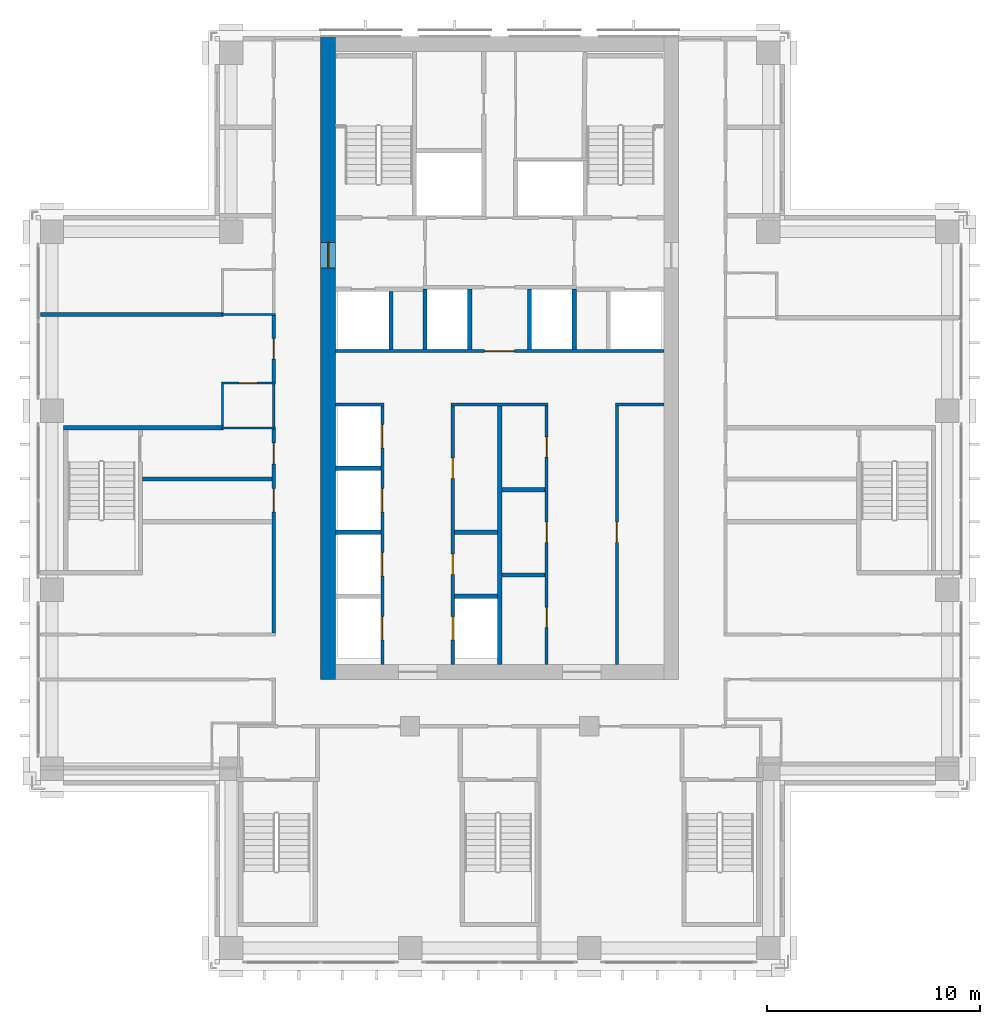
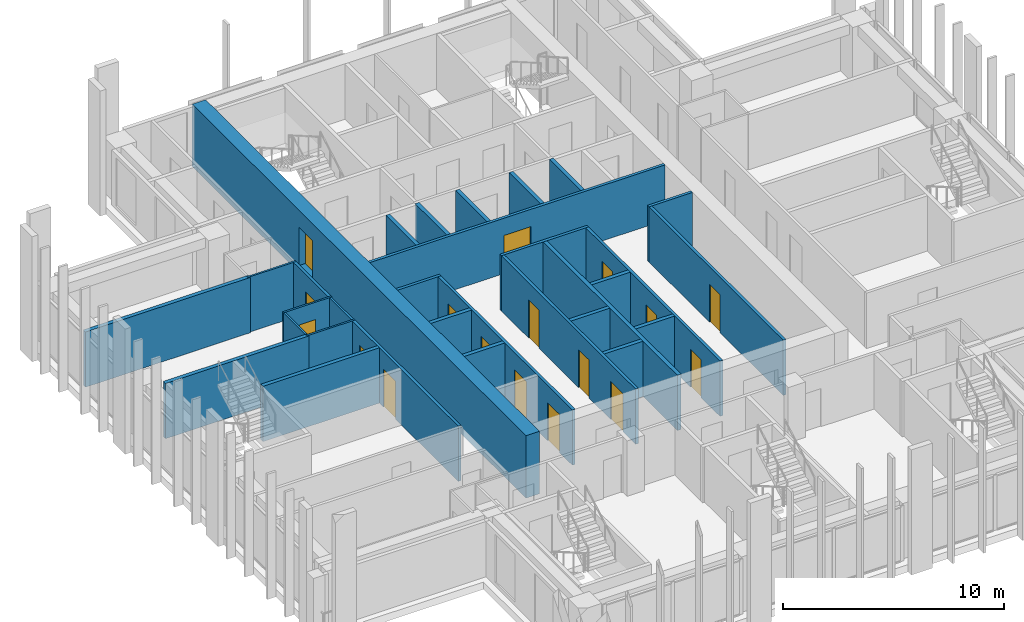
# One storey, part 10 of 17: 31 walls, 17 doors, 17 openings.
"""IFC4 building model written with IfcOpenShell, lengths in metres."""

import ifcopenshell
import ifcopenshell.guid

model = None  # the IFC model being written
_history = None  # IfcOwnerHistory: only IFC2X3 demands one
_inside = {}  # id of a spatial element -> (the spatial element, [elements in it])
_under = {}  # id of a project, library or spatial element -> (it, [spatial elements below it])
_declared = {}  # id of a project -> (the project, [libraries it declares])
_typed = {}  # id of a type object -> (the type object, [elements of that type])
_made_of = {}  # id of a material, layer set ... -> (it, [elements and type objects made of it])


def new_model(schema):
    """Start an empty IFC model of exactly this schema.

    Asked for "IFC4X3", IfcOpenShell would pick the latest addendum, in which some entities
    have other attributes; the version numbers below select the first issue.
    IFC2X3 requires an IfcOwnerHistory on every rooted entity: one is made here for all.
    """
    global model, _history
    if schema == "IFC4X3":
        model = ifcopenshell.file(schema_version=(4, 3, 0, 0))
    else:
        model = ifcopenshell.file(schema=schema)
    _inside.clear()
    _under.clear()
    _declared.clear()
    _typed.clear()
    _made_of.clear()
    _history = None
    if model.schema == "IFC2X3":
        org = make("IfcOrganization", Name="unknown")
        user = make(
            "IfcPersonAndOrganization",
            ThePerson=make("IfcPerson", FamilyName="unknown"),
            TheOrganization=org,
        )
        app = make(
            "IfcApplication",
            ApplicationDeveloper=org,
            Version="unknown",
            ApplicationFullName="unknown",
            ApplicationIdentifier="unknown",
        )
        _history = make(
            "IfcOwnerHistory",
            OwningUser=user,
            OwningApplication=app,
            ChangeAction="ADDED",
            CreationDate=0,
        )
    return model


def make(cls, **values):
    """One entity of the class cls with the attributes given. An attribute that is None is left unset."""
    return model.create_entity(
        cls, **{name: value for name, value in values.items() if value is not None}
    )


def rooted(cls, **values):
    """An entity with a GlobalId (a new one), such as an element, a storey or a relation."""
    return make(cls, GlobalId=ifcopenshell.guid.new(), OwnerHistory=_history, **values)


def si_unit(unit_type, name, prefix=None):
    """IfcSIUnit, for example si_unit("LENGTHUNIT", "METRE", prefix="MILLI")."""
    return make("IfcSIUnit", UnitType=unit_type, Prefix=prefix, Name=name)


def assignment(units):
    """IfcUnitAssignment: the units of a project."""
    return None if units is None else make("IfcUnitAssignment", Units=units)


def point(xyz):
    """IfcCartesianPoint."""
    return None if xyz is None else make("IfcCartesianPoint", Coordinates=xyz)


def direction(xyz):
    """IfcDirection."""
    return None if xyz is None else make("IfcDirection", DirectionRatios=xyz)


def frame(location, z_axis=None, x_axis=None):
    """IfcAxis2Placement3D, a coordinate frame: its origin and axes. An axis left out is left unset."""
    return make(
        "IfcAxis2Placement3D",
        Location=point(location),
        Axis=direction(z_axis),
        RefDirection=direction(x_axis),
    )


def frame_2d(location, x_axis=None):
    """IfcAxis2Placement2D, a coordinate frame in the plane: its origin and x axis."""
    return make(
        "IfcAxis2Placement2D", Location=point(location), RefDirection=direction(x_axis)
    )


def origin():
    """The frame at (0, 0, 0) with its axes left unset."""
    return frame((0.0, 0.0, 0.0))


def place(relative_to, where):
    """IfcLocalPlacement: puts the frame where relative to a parent placement (None: the world)."""
    return make(
        "IfcLocalPlacement", PlacementRelTo=relative_to, RelativePlacement=where
    )


def context(
    kind, dimensions, precision=None, world=None, true_north=None, identifier=None
):
    """IfcGeometricRepresentationContext, for example the 3D "Model" context."""
    return make(
        "IfcGeometricRepresentationContext",
        ContextIdentifier=identifier,
        ContextType=kind,
        CoordinateSpaceDimension=dimensions,
        Precision=precision,
        WorldCoordinateSystem=world,
        TrueNorth=true_north,
    )


def subcontext(parent, identifier, kind, view, scale=None):
    """IfcGeometricRepresentationSubContext, for example "Body" below "Model"."""
    return make(
        "IfcGeometricRepresentationSubContext",
        ContextIdentifier=identifier,
        ContextType=kind,
        ParentContext=parent,
        TargetScale=scale,
        TargetView=view,
    )


def project(units=None, contexts=None):
    """IfcProject with its units and contexts."""
    return rooted(
        "IfcProject",
        Name="project",
        RepresentationContexts=contexts,
        UnitsInContext=assignment(units),
    )


def spatial(cls, under=None, at=None, **own):
    """A site, building, storey or space (cls), placed at a placement, below another one or the project."""
    s = rooted(cls, ObjectPlacement=at, **own)
    if under is not None:
        _under.setdefault(under.id(), (under, []))[1].append(s)
    return s


def profile(cls, at=None, kind="AREA", **sizes):
    """A parametric profile (cls). Its sizes go by their IFC names, for example OverallWidth=200.0."""
    return make(cls, ProfileType=kind, Position=at, **sizes)


def rectangle(**sizes):
    """IfcRectangleProfileDef."""
    return profile("IfcRectangleProfileDef", **sizes)


def extrude(swept, where, along, depth):
    """IfcExtrudedAreaSolid: the profile swept, set in the frame where, extruded along a direction by depth."""
    return make(
        "IfcExtrudedAreaSolid",
        SweptArea=swept,
        Position=where,
        ExtrudedDirection=direction(along),
        Depth=depth,
    )


def shape(context_of_items, identifier, shape_type, items):
    """IfcShapeRepresentation: the items that make up one representation, for example the "Body"."""
    return make(
        "IfcShapeRepresentation",
        ContextOfItems=context_of_items,
        RepresentationIdentifier=identifier,
        RepresentationType=shape_type,
        Items=items,
    )


def material(Name=None, Category=None):
    """IfcMaterial."""
    return make("IfcMaterial", Name=Name, Category=Category)


def layer(
    of_material, thickness, ventilated=None, Name=None, Category=None, Priority=None
):
    """IfcMaterialLayer: one layer of a wall or slab, of a material (None: an air gap)."""
    return make(
        "IfcMaterialLayer",
        Material=of_material,
        LayerThickness=thickness,
        IsVentilated=ventilated,
        Name=Name,
        Category=Category,
        Priority=Priority,
    )


def layer_set(layers, Name=None):
    """IfcMaterialLayerSet."""
    return make("IfcMaterialLayerSet", MaterialLayers=layers, LayerSetName=Name)


def made_of(thing, what):
    """Note that an element or type object is made of a material, layer set ...; save() writes the relation."""
    if what is not None:
        _made_of.setdefault(what.id(), (what, []))[1].append(thing)
    return thing


def type_object(cls, material=None, **own):
    """A type object (cls), such as IfcWallType, which elements share."""
    return made_of(rooted(cls, **own), material)


def element(
    cls,
    number,
    at=None,
    inside=None,
    cuts=None,
    type_object=None,
    material=None,
    context=None,
    identifier="Body",
    shape_type=None,
    held_by="IfcProductDefinitionShape",
    body=None,
    shapes=None,
    **own,
):
    """One element of the class cls, such as IfcWall. Its Tag is "e" and its number.

    at: its placement. inside: the storey or other place that contains it. cuts: it is an
    opening in that element (IfcRelVoidsElement). A single representation is given by context,
    identifier, shape_type and body (its items); several are given by shapes. held_by: the class
    of the entity that holds the representations. save() writes the other relations.
    """
    e = rooted(cls, Tag="e%d" % number, ObjectPlacement=at, **own)
    if body is not None:
        shapes = [shape(context, identifier, shape_type, body)]
    if shapes is not None:
        e.Representation = make(held_by, Representations=shapes)
    if inside is not None:
        _inside.setdefault(inside.id(), (inside, []))[1].append(e)
    if cuts is not None:
        rooted(
            "IfcRelVoidsElement", RelatingBuildingElement=cuts, RelatedOpeningElement=e
        )
    if type_object is not None:
        _typed.setdefault(type_object.id(), (type_object, []))[1].append(e)
    return made_of(e, material)


def fill(opening, filler):
    """IfcRelFillsElement: the door or window that sits in an opening."""
    return rooted(
        "IfcRelFillsElement",
        RelatingOpeningElement=opening,
        RelatedBuildingElement=filler,
    )


def aggregate(whole, parts):
    """IfcRelAggregates: a whole, such as a stair, and the parts it consists of."""
    return rooted("IfcRelAggregates", RelatingObject=whole, RelatedObjects=parts)


def save(model, path):
    """Write the relations noted so far, then the file.

    IfcRelAggregates (storeys below a building ...), IfcRelContainedInSpatialStructure (elements
    in a storey), IfcRelDefinesByType, IfcRelAssociatesMaterial and IfcRelDeclares: one each for
    every whole, place, type object, material and project.
    """
    for whole, parts in _under.values():
        aggregate(whole, parts)
    for where, things in _inside.values():
        rooted(
            "IfcRelContainedInSpatialStructure",
            RelatedElements=things,
            RelatingStructure=where,
        )
    for kind, things in _typed.values():
        rooted("IfcRelDefinesByType", RelatedObjects=things, RelatingType=kind)
    for what, things in _made_of.values():
        rooted("IfcRelAssociatesMaterial", RelatedObjects=things, RelatingMaterial=what)
    for by, libraries in _declared.values():
        rooted("IfcRelDeclares", RelatingContext=by, RelatedDefinitions=libraries)
    model.write(path)


model = new_model("IFC4")

# Units and contexts
model_context = context("Model", 3, precision=1e-05, world=origin(), true_north=direction((0.0, 1.0)))
body_context = subcontext(model_context, "Body", "Model", "MODEL_VIEW")
ifc_project = project(units=[si_unit("LENGTHUNIT", "METRE"), si_unit("AREAUNIT", "SQUARE_METRE"), si_unit("VOLUMEUNIT", "CUBIC_METRE"), si_unit("PLANEANGLEUNIT", "RADIAN"), si_unit("MASSUNIT", "GRAM", prefix="KILO")], contexts=[model_context])

# Site, building, storey
site_placement = place(None, origin())
site = spatial("IfcSite", under=ifc_project, at=site_placement, CompositionType="ELEMENT")
building_placement = place(site_placement, origin())
building = spatial("IfcBuilding", under=site, at=building_placement, Name="Vermilion Ogive Tower", CompositionType="ELEMENT")
storey_placement = place(building_placement, frame((0.0, 0.0, 157.25)))
storey = spatial("IfcBuildingStorey", under=building, at=storey_placement, Name="L40", CompositionType="ELEMENT", Elevation=157.25)

# Wall
ifc_material_1 = material(Name="Gypsum board partition on steel studs", Category="steel")
ifc_layer_1 = layer(ifc_material_1, 0.10009765625)
ifc_layer_set_1 = layer_set([ifc_layer_1], Name="Partition 100 bath")
wall_type_1 = type_object("IfcWallType", Name="Partition 100 bath", PredefinedType="PARTITIONING", material=ifc_layer_set_1)
wall_1_placement = place(storey_placement, frame((-13.050048828125, 3.39990234375, 0.0), z_axis=(0.0, 0.0, 1.0), x_axis=(1.0, 0.0, 0.0)))
element("IfcWall", 1, at=wall_1_placement, inside=storey, type_object=wall_type_1, Name="L40-W-W027", PredefinedType="PARTITIONING", context=body_context, shape_type="SweptSolid", body=[
    extrude(rectangle(XDim=2.525146484375, YDim=0.10009765625, at=frame_2d((1.2626953125, 0.0))), origin(), (0.0, 0.0, 1.0), 3.050048828125),
])

# Wall, opening, door
wall_2_placement = place(storey_placement, frame((-13.048095703125, 5.5, 0.0), z_axis=(0.0, 0.0, 1.0), x_axis=(1.0, 0.0, 0.0)))
wall_2 = element("IfcWall", 2, at=wall_2_placement, inside=storey, type_object=wall_type_1, Name="L40-W-W029", PredefinedType="PARTITIONING", context=body_context, shape_type="SweptSolid", body=[
    extrude(rectangle(XDim=2.523193359375, YDim=0.10009765625, at=frame_2d((1.26171875, 0.0))), origin(), (0.0, 0.0, 1.0), 3.050048828125),
])
opening_1_placement = place(wall_2_placement, frame((0.822998046875, 0.0, 0.0)))
opening_1 = element("IfcOpeningElement", 3, at=opening_1_placement, cuts=wall_2, Name="Opening D3G4004", PredefinedType="OPENING", context=body_context, shape_type="SweptSolid", body=[
    extrude(rectangle(XDim=0.85009765625, YDim=2.10009765625, at=frame_2d((0.425048828125, 1.050048828125))), frame((0.0, 0.06005859375, 0.0), z_axis=(0.0, -1.0, 0.0), x_axis=(1.0, 0.0, 0.0)), (0.0, 0.0, 1.0), 0.1201171875),
])
ifc_material_2 = material(Name="Timber door leaf", Category="wood")
door_type_1 = type_object("IfcDoorType", Name="Bath door 850 x 2100 FD30", OperationType="SINGLE_SWING_LEFT", PredefinedType="DOOR", material=ifc_material_2)
door_1_placement = place(opening_1_placement, origin())
door_1 = element("IfcDoor", 4, at=door_1_placement, inside=storey, type_object=door_type_1, Name="L40-D-D004", OperationType="SINGLE_SWING_RIGHT", OverallHeight=2.10009765625, OverallWidth=0.85009765625, PredefinedType="DOOR", context=body_context, shape_type="SweptSolid", body=[
    extrude(rectangle(XDim=0.85009765625, YDim=2.10009765625, at=frame_2d((0.425048828125, 1.050048828125))), frame((0.0, 0.02490234375, 0.0), z_axis=(0.0, -1.0, 0.0), x_axis=(1.0, 0.0, 0.0)), (0.0, 0.0, 1.0), 0.050048828125),
])
fill(opening_1, door_1)

# Walls
wall_3_placement = place(storey_placement, frame((-13.050048828125, 8.719970703125, 0.0), z_axis=(0.0, 0.0, 1.0), x_axis=(1.0, 0.0, 0.0)))
element("IfcWall", 5, at=wall_3_placement, inside=storey, type_object=wall_type_1, Name="L40-W-W033", PredefinedType="PARTITIONING", context=body_context, shape_type="SweptSolid", body=[
    extrude(rectangle(XDim=2.525146484375, YDim=0.10009765625, at=frame_2d((1.2626953125, 0.0))), origin(), (0.0, 0.0, 1.0), 3.050048828125),
])
wall_4_placement = place(storey_placement, frame((-13.0, 3.5, 0.0), z_axis=(0.0, 0.0, 1.0), x_axis=(0.0, 1.0, 0.0)))
element("IfcWall", 6, at=wall_4_placement, inside=storey, type_object=wall_type_1, Name="L40-W-W043", PredefinedType="PARTITIONING", context=body_context, shape_type="SweptSolid", body=[
    extrude(rectangle(XDim=1.947998046875, YDim=0.10009765625, at=frame_2d((0.97412109375, 0.0))), origin(), (0.0, 0.0, 1.0), 3.050048828125),
])
wall_5_placement = place(storey_placement, frame((-10.60009765625, 3.449951171875, 0.0), z_axis=(0.0, 0.0, 1.0), x_axis=(0.0, 1.0, 0.0)))
element("IfcWall", 7, at=wall_5_placement, inside=storey, type_object=wall_type_1, Name="L40-W-W050", PredefinedType="PARTITIONING", context=body_context, shape_type="SweptSolid", body=[
    extrude(rectangle(XDim=2.0, YDim=0.10009765625, at=frame_2d((1.0, 0.0))), origin(), (0.0, 0.0, 1.0), 3.050048828125),
])

# Wall, openings, doors
ifc_material_3 = material(Name="Gypsum board partition on steel studs", Category="steel")
ifc_layer_2 = layer(ifc_material_3, 0.14990234375)
ifc_layer_set_2 = layer_set([ifc_layer_2], Name="Partition 150 corridor")
wall_type_2 = type_object("IfcWallType", Name="Partition 150 corridor", PredefinedType="PARTITIONING", material=ifc_layer_set_2)
wall_6_placement = place(storey_placement, frame((-10.60009765625, -6.22509765625, 0.0), z_axis=(0.0, 0.0, 1.0), x_axis=(0.0, 1.0, 0.0)))
wall_6 = element("IfcWall", 8, at=wall_6_placement, inside=storey, type_object=wall_type_2, Name="L40-W-W049", PredefinedType="PARTITIONING", context=body_context, shape_type="SweptSolid", body=[
    extrude(rectangle(XDim=9.5751953125, YDim=0.14990234375, at=frame_2d((4.78759765625, 0.0))), origin(), (0.0, 0.0, 1.0), 3.050048828125),
])
opening_2_placement = place(wall_6_placement, frame((5.675048828125, 0.0, 0.0)))
opening_2 = element("IfcOpeningElement", 9, at=opening_2_placement, cuts=wall_6, Name="Opening D3G4026", PredefinedType="OPENING", context=body_context, shape_type="SweptSolid", body=[
    extrude(rectangle(XDim=1.10009765625, YDim=2.10009765625, at=frame_2d((0.550048828125, 1.050048828125))), frame((0.0, 0.0849609375, 0.0), z_axis=(0.0, -1.0, 0.0), x_axis=(1.0, 0.0, 0.0)), (0.0, 0.0, 1.0), 0.169921875),
])
opening_3_placement = place(wall_6_placement, frame((7.925048828125, 0.0, 0.0)))
opening_3 = element("IfcOpeningElement", 10, at=opening_3_placement, cuts=wall_6, Name="Opening D3G4032", PredefinedType="OPENING", context=body_context, shape_type="SweptSolid", body=[
    extrude(rectangle(XDim=1.0, YDim=2.10009765625, at=frame_2d((0.5, 1.050048828125))), frame((0.0, 0.0849609375, 0.0), z_axis=(0.0, -1.0, 0.0), x_axis=(1.0, 0.0, 0.0)), (0.0, 0.0, 1.0), 0.169921875),
])
ifc_material_4 = material(Name="Timber door leaf", Category="wood")
door_type_2 = type_object("IfcDoorType", Name="Stair door 1100 x 2100 FD60S", OperationType="SINGLE_SWING_LEFT", PredefinedType="DOOR", material=ifc_material_4)
door_2_placement = place(opening_2_placement, origin())
door_2 = element("IfcDoor", 11, at=door_2_placement, inside=storey, type_object=door_type_2, Name="L40-D-D026", OperationType="SINGLE_SWING_RIGHT", OverallHeight=2.10009765625, OverallWidth=1.10009765625, PredefinedType="DOOR", context=body_context, shape_type="SweptSolid", body=[
    extrude(rectangle(XDim=1.10009765625, YDim=2.10009765625, at=frame_2d((0.550048828125, 1.050048828125))), frame((0.0, 0.02490234375, 0.0), z_axis=(0.0, -1.0, 0.0), x_axis=(1.0, 0.0, 0.0)), (0.0, 0.0, 1.0), 0.050048828125),
])
fill(opening_2, door_2)
ifc_material_5 = material(Name="Timber door leaf", Category="wood")
door_type_3 = type_object("IfcDoorType", Name="Unit door 1000 x 2100 FD30S", OperationType="SINGLE_SWING_LEFT", PredefinedType="DOOR", material=ifc_material_5)
door_3_placement = place(opening_3_placement, origin())
door_3 = element("IfcDoor", 12, at=door_3_placement, inside=storey, type_object=door_type_3, Name="L40-D-D032", OperationType="SINGLE_SWING_LEFT", OverallHeight=2.10009765625, OverallWidth=1.0, PredefinedType="DOOR", context=body_context, shape_type="SweptSolid", body=[
    extrude(rectangle(XDim=1.0, YDim=2.10009765625, at=frame_2d((0.5, 1.050048828125))), frame((0.0, 0.02490234375, 0.0), z_axis=(0.0, -1.0, 0.0), x_axis=(1.0, 0.0, 0.0)), (0.0, 0.0, 1.0), 0.050048828125),
])
fill(opening_3, door_3)

# Wall, opening, door
wall_7_placement = place(storey_placement, frame((-10.60009765625, 5.550048828125, 0.0), z_axis=(0.0, 0.0, 1.0), x_axis=(0.0, 1.0, 0.0)))
wall_7 = element("IfcWall", 13, at=wall_7_placement, inside=storey, type_object=wall_type_2, Name="L40-W-W051", PredefinedType="PARTITIONING", context=body_context, shape_type="SweptSolid", body=[
    extrude(rectangle(XDim=3.119873046875, YDim=0.14990234375, at=frame_2d((1.56005859375, 0.0))), origin(), (0.0, 0.0, 1.0), 3.050048828125),
])
opening_4_placement = place(wall_7_placement, frame((1.0849609375, 0.0, 0.0)))
opening_4 = element("IfcOpeningElement", 14, at=opening_4_placement, cuts=wall_7, Name="Opening D3G4003", PredefinedType="OPENING", context=body_context, shape_type="SweptSolid", body=[
    extrude(rectangle(XDim=0.949951171875, YDim=2.10009765625, at=frame_2d((0.47509765625, 1.050048828125))), frame((0.0, 0.0849609375, 0.0), z_axis=(0.0, -1.0, 0.0), x_axis=(1.0, 0.0, 0.0)), (0.0, 0.0, 1.0), 0.169921875),
])
ifc_material_6 = material(Name="Timber door leaf", Category="wood")
door_type_4 = type_object("IfcDoorType", Name="Unit door 950 x 2100 FD30S", OperationType="SINGLE_SWING_LEFT", PredefinedType="DOOR", material=ifc_material_6)
door_4_placement = place(opening_4_placement, origin())
door_4 = element("IfcDoor", 15, at=door_4_placement, inside=storey, type_object=door_type_4, Name="L40-D-D003", OperationType="SINGLE_SWING_LEFT", OverallHeight=2.10009765625, OverallWidth=0.949951171875, PredefinedType="DOOR", context=body_context, shape_type="SweptSolid", body=[
    extrude(rectangle(XDim=0.949951171875, YDim=2.10009765625, at=frame_2d((0.47509765625, 1.050048828125))), frame((0.0, 0.02490234375, 0.0), z_axis=(0.0, -1.0, 0.0), x_axis=(1.0, 0.0, 0.0)), (0.0, 0.0, 1.0), 0.050048828125),
])
fill(opening_4, door_4)

# Walls
wall_8_placement = place(storey_placement, frame((-7.698974609375, 4.5, 0.0), z_axis=(0.0, 0.0, 1.0), x_axis=(1.0, 0.0, 0.0)))
element("IfcWall", 16, at=wall_8_placement, inside=storey, type_object=wall_type_2, Name="L40-CK-W-W008", PredefinedType="PARTITIONING", context=body_context, shape_type="SweptSolid", body=[
    extrude(rectangle(XDim=2.27392578125, YDim=0.14990234375, at=frame_2d((1.136962890625, 0.0))), origin(), (0.0, 0.0, 1.0), 3.050048828125),
])
wall_9_placement = place(storey_placement, frame((-2.27490234375, 4.5, 0.0), z_axis=(0.0, 0.0, 1.0), x_axis=(1.0, 0.0, 0.0)))
element("IfcWall", 17, at=wall_9_placement, inside=storey, type_object=wall_type_2, Name="L40-CK-W-W009", PredefinedType="PARTITIONING", context=body_context, shape_type="SweptSolid", body=[
    extrude(rectangle(XDim=4.5498046875, YDim=0.14990234375, at=frame_2d((2.27490234375, 0.0))), origin(), (0.0, 0.0, 1.0), 3.050048828125),
])
wall_10_placement = place(storey_placement, frame((5.425048828125, 4.5, 0.0), z_axis=(0.0, 0.0, 1.0), x_axis=(1.0, 0.0, 0.0)))
element("IfcWall", 18, at=wall_10_placement, inside=storey, type_object=wall_type_2, Name="L40-CK-W-W010", PredefinedType="PARTITIONING", context=body_context, shape_type="SweptSolid", body=[
    extrude(rectangle(XDim=2.27392578125, YDim=0.14990234375, at=frame_2d((1.136962890625, 0.0))), origin(), (0.0, 0.0, 1.0), 3.050048828125),
])

# Wall, opening, door
wall_11_placement = place(storey_placement, frame((-7.698974609375, 7.0, 0.0), z_axis=(0.0, 0.0, 1.0), x_axis=(1.0, 0.0, 0.0)))
wall_11 = element("IfcWall", 19, at=wall_11_placement, inside=storey, type_object=wall_type_2, Name="L40-CK-W-W011", PredefinedType="PARTITIONING", context=body_context, shape_type="SweptSolid", body=[
    extrude(rectangle(XDim=15.39794921875, YDim=0.14990234375, at=frame_2d((7.698974609375, 0.0))), origin(), (0.0, 0.0, 1.0), 3.050048828125),
])
opening_5_placement = place(wall_11_placement, frame((6.9990234375, 0.0, 0.0)))
opening_5 = element("IfcOpeningElement", 20, at=opening_5_placement, cuts=wall_11, Name="Opening DAA349", PredefinedType="OPENING", context=body_context, shape_type="SweptSolid", body=[
    extrude(rectangle(XDim=1.39990234375, YDim=2.10009765625, at=frame_2d((0.699951171875, 1.050048828125))), frame((0.0, 0.0849609375, 0.0), z_axis=(0.0, -1.0, 0.0), x_axis=(1.0, 0.0, 0.0)), (0.0, 0.0, 1.0), 0.169921875),
])
ifc_material_7 = material(Name="Timber door leaf", Category="wood")
door_type_5 = type_object("IfcDoorType", Name="Lobby door 1400 x 2100 FD60S", OperationType="SINGLE_SWING_LEFT", PredefinedType="DOOR", material=ifc_material_7)
door_5_placement = place(opening_5_placement, origin())
door_5 = element("IfcDoor", 21, at=door_5_placement, inside=storey, type_object=door_type_5, Name="L40-CK-D-D016", OperationType="SINGLE_SWING_RIGHT", OverallHeight=2.10009765625, OverallWidth=1.39990234375, PredefinedType="DOOR", context=body_context, shape_type="SweptSolid", body=[
    extrude(rectangle(XDim=1.39990234375, YDim=2.10009765625, at=frame_2d((0.699951171875, 1.050048828125))), frame((0.0, 0.02490234375, 0.0), z_axis=(0.0, -1.0, 0.0), x_axis=(1.0, 0.0, 0.0)), (0.0, 0.0, 1.0), 0.050048828125),
])
fill(opening_5, door_5)

# Wall, openings, doors
wall_12_placement = place(storey_placement, frame((-5.5, -7.698974609375, 0.0), z_axis=(0.0, 0.0, 1.0), x_axis=(0.0, 1.0, 0.0)))
wall_12 = element("IfcWall", 22, at=wall_12_placement, inside=storey, type_object=wall_type_2, Name="L40-CK-W-W020", PredefinedType="PARTITIONING", context=body_context, shape_type="SweptSolid", body=[
    extrude(rectangle(XDim=12.1240234375, YDim=0.14990234375, at=frame_2d((6.06201171875, 0.0))), origin(), (0.0, 0.0, 1.0), 3.050048828125),
])
opening_6_placement = place(wall_12_placement, frame((1.14892578125, 0.0, 0.0)))
opening_6 = element("IfcOpeningElement", 23, at=opening_6_placement, cuts=wall_12, Name="Opening DAA362", PredefinedType="OPENING", context=body_context, shape_type="SweptSolid", body=[
    extrude(rectangle(XDim=1.10009765625, YDim=2.10009765625, at=frame_2d((0.550048828125, 1.050048828125))), frame((0.0, 0.0849609375, 0.0), z_axis=(0.0, -1.0, 0.0), x_axis=(1.0, 0.0, 0.0)), (0.0, 0.0, 1.0), 0.169921875),
])
opening_7_placement = place(wall_12_placement, frame((4.14892578125, 0.0, 0.0)))
opening_7 = element("IfcOpeningElement", 24, at=opening_7_placement, cuts=wall_12, Name="Opening DAA363", PredefinedType="OPENING", context=body_context, shape_type="SweptSolid", body=[
    extrude(rectangle(XDim=1.10009765625, YDim=2.10009765625, at=frame_2d((0.550048828125, 1.050048828125))), frame((0.0, 0.0849609375, 0.0), z_axis=(0.0, -1.0, 0.0), x_axis=(1.0, 0.0, 0.0)), (0.0, 0.0, 1.0), 0.169921875),
])
opening_8_placement = place(wall_12_placement, frame((7.14892578125, 0.0, 0.0)))
opening_8 = element("IfcOpeningElement", 25, at=opening_8_placement, cuts=wall_12, Name="Opening DAA364", PredefinedType="OPENING", context=body_context, shape_type="SweptSolid", body=[
    extrude(rectangle(XDim=1.10009765625, YDim=2.10009765625, at=frame_2d((0.550048828125, 1.050048828125))), frame((0.0, 0.0849609375, 0.0), z_axis=(0.0, -1.0, 0.0), x_axis=(1.0, 0.0, 0.0)), (0.0, 0.0, 1.0), 0.169921875),
])
opening_9_placement = place(wall_12_placement, frame((10.14892578125, 0.0, 0.0)))
opening_9 = element("IfcOpeningElement", 26, at=opening_9_placement, cuts=wall_12, Name="Opening DAA365", PredefinedType="OPENING", context=body_context, shape_type="SweptSolid", body=[
    extrude(rectangle(XDim=1.10009765625, YDim=2.10009765625, at=frame_2d((0.550048828125, 1.050048828125))), frame((0.0, 0.0849609375, 0.0), z_axis=(0.0, -1.0, 0.0), x_axis=(1.0, 0.0, 0.0)), (0.0, 0.0, 1.0), 0.169921875),
])
ifc_material_8 = material(Name="Stainless steel", Category="steel")
door_type_6 = type_object("IfcDoorType", Name="Lift landing door 1100 x 2100", OperationType="SLIDING_TO_LEFT", PredefinedType="DOOR", material=ifc_material_8)
door_6_placement = place(opening_6_placement, origin())
door_6 = element("IfcDoor", 27, at=door_6_placement, inside=storey, type_object=door_type_6, Name="L40-CK-D-D001", OperationType="SLIDING_TO_LEFT", OverallHeight=2.10009765625, OverallWidth=1.10009765625, PredefinedType="DOOR", context=body_context, shape_type="SweptSolid", body=[
    extrude(rectangle(XDim=1.10009765625, YDim=2.10009765625, at=frame_2d((0.550048828125, 1.050048828125))), frame((0.0, 0.02490234375, 0.0), z_axis=(0.0, -1.0, 0.0), x_axis=(1.0, 0.0, 0.0)), (0.0, 0.0, 1.0), 0.050048828125),
])
fill(opening_6, door_6)
door_7_placement = place(opening_7_placement, origin())
door_7 = element("IfcDoor", 28, at=door_7_placement, inside=storey, type_object=door_type_6, Name="L40-CK-D-D002", OperationType="SLIDING_TO_LEFT", OverallHeight=2.10009765625, OverallWidth=1.10009765625, PredefinedType="DOOR", context=body_context, shape_type="SweptSolid", body=[
    extrude(rectangle(XDim=1.10009765625, YDim=2.10009765625, at=frame_2d((0.550048828125, 1.050048828125))), frame((0.0, 0.02490234375, 0.0), z_axis=(0.0, -1.0, 0.0), x_axis=(1.0, 0.0, 0.0)), (0.0, 0.0, 1.0), 0.050048828125),
])
fill(opening_7, door_7)
door_8_placement = place(opening_8_placement, origin())
door_8 = element("IfcDoor", 29, at=door_8_placement, inside=storey, type_object=door_type_6, Name="L40-CK-D-D003", OperationType="SLIDING_TO_LEFT", OverallHeight=2.10009765625, OverallWidth=1.10009765625, PredefinedType="DOOR", context=body_context, shape_type="SweptSolid", body=[
    extrude(rectangle(XDim=1.10009765625, YDim=2.10009765625, at=frame_2d((0.550048828125, 1.050048828125))), frame((0.0, 0.02490234375, 0.0), z_axis=(0.0, -1.0, 0.0), x_axis=(1.0, 0.0, 0.0)), (0.0, 0.0, 1.0), 0.050048828125),
])
fill(opening_8, door_8)
door_9_placement = place(opening_9_placement, origin())
door_9 = element("IfcDoor", 30, at=door_9_placement, inside=storey, type_object=door_type_6, Name="L40-CK-D-D004", OperationType="SLIDING_TO_LEFT", OverallHeight=2.10009765625, OverallWidth=1.10009765625, PredefinedType="DOOR", context=body_context, shape_type="SweptSolid", body=[
    extrude(rectangle(XDim=1.10009765625, YDim=2.10009765625, at=frame_2d((0.550048828125, 1.050048828125))), frame((0.0, 0.02490234375, 0.0), z_axis=(0.0, -1.0, 0.0), x_axis=(1.0, 0.0, 0.0)), (0.0, 0.0, 1.0), 0.050048828125),
])
fill(opening_9, door_9)

wall_13_placement = place(storey_placement, frame((-2.199951171875, -7.698974609375, 0.0), z_axis=(0.0, 0.0, 1.0), x_axis=(0.0, 1.0, 0.0)))
wall_13 = element("IfcWall", 31, at=wall_13_placement, inside=storey, type_object=wall_type_2, Name="L40-CK-W-W025", PredefinedType="PARTITIONING", context=body_context, shape_type="SweptSolid", body=[
    extrude(rectangle(XDim=12.1240234375, YDim=0.14990234375, at=frame_2d((6.06201171875, 0.0))), origin(), (0.0, 0.0, 1.0), 3.050048828125),
])
opening_10_placement = place(wall_13_placement, frame((1.14892578125, 0.0, 0.0)))
opening_10 = element("IfcOpeningElement", 32, at=opening_10_placement, cuts=wall_13, Name="Opening DAA366", PredefinedType="OPENING", context=body_context, shape_type="SweptSolid", body=[
    extrude(rectangle(XDim=1.10009765625, YDim=2.10009765625, at=frame_2d((0.550048828125, 1.050048828125))), frame((0.0, 0.0849609375, 0.0), z_axis=(0.0, -1.0, 0.0), x_axis=(1.0, 0.0, 0.0)), (0.0, 0.0, 1.0), 0.169921875),
])
opening_11_placement = place(wall_13_placement, frame((4.223876953125, 0.0, 0.0)))
opening_11 = element("IfcOpeningElement", 33, at=opening_11_placement, cuts=wall_13, Name="Opening DAA352", PredefinedType="OPENING", context=body_context, shape_type="SweptSolid", body=[
    extrude(rectangle(XDim=0.949951171875, YDim=2.10009765625, at=frame_2d((0.47509765625, 1.050048828125))), frame((0.0, 0.0849609375, 0.0), z_axis=(0.0, -1.0, 0.0), x_axis=(1.0, 0.0, 0.0)), (0.0, 0.0, 1.0), 0.169921875),
])
opening_12_placement = place(wall_13_placement, frame((8.723876953125, 0.0, 0.0)))
opening_12 = element("IfcOpeningElement", 34, at=opening_12_placement, cuts=wall_13, Name="Opening DAA353", PredefinedType="OPENING", context=body_context, shape_type="SweptSolid", body=[
    extrude(rectangle(XDim=0.949951171875, YDim=2.10009765625, at=frame_2d((0.47509765625, 1.050048828125))), frame((0.0, 0.0849609375, 0.0), z_axis=(0.0, -1.0, 0.0), x_axis=(1.0, 0.0, 0.0)), (0.0, 0.0, 1.0), 0.169921875),
])
door_10_placement = place(opening_10_placement, origin())
door_10 = element("IfcDoor", 35, at=door_10_placement, inside=storey, type_object=door_type_6, Name="L40-CK-D-D005", OperationType="SLIDING_TO_LEFT", OverallHeight=2.10009765625, OverallWidth=1.10009765625, PredefinedType="DOOR", context=body_context, shape_type="SweptSolid", body=[
    extrude(rectangle(XDim=1.10009765625, YDim=2.10009765625, at=frame_2d((0.550048828125, 1.050048828125))), frame((0.0, 0.02490234375, 0.0), z_axis=(0.0, -1.0, 0.0), x_axis=(1.0, 0.0, 0.0)), (0.0, 0.0, 1.0), 0.050048828125),
])
fill(opening_10, door_10)
ifc_material_9 = material(Name="Timber door leaf", Category="wood")
door_type_7 = type_object("IfcDoorType", Name="Service door 950 x 2100 FD60", OperationType="SINGLE_SWING_LEFT", PredefinedType="DOOR", material=ifc_material_9)
door_11_placement = place(opening_11_placement, origin())
door_11 = element("IfcDoor", 36, at=door_11_placement, inside=storey, type_object=door_type_7, Name="L40-CK-D-D006", OperationType="SINGLE_SWING_RIGHT", OverallHeight=2.10009765625, OverallWidth=0.949951171875, PredefinedType="DOOR", context=body_context, shape_type="SweptSolid", body=[
    extrude(rectangle(XDim=0.949951171875, YDim=2.10009765625, at=frame_2d((0.47509765625, 1.050048828125))), frame((0.0, 0.02490234375, 0.0), z_axis=(0.0, -1.0, 0.0), x_axis=(1.0, 0.0, 0.0)), (0.0, 0.0, 1.0), 0.050048828125),
])
fill(opening_11, door_11)
door_12_placement = place(opening_12_placement, origin())
door_12 = element("IfcDoor", 37, at=door_12_placement, inside=storey, type_object=door_type_7, Name="L40-CK-D-D007", OperationType="SINGLE_SWING_LEFT", OverallHeight=2.10009765625, OverallWidth=0.949951171875, PredefinedType="DOOR", context=body_context, shape_type="SweptSolid", body=[
    extrude(rectangle(XDim=0.949951171875, YDim=2.10009765625, at=frame_2d((0.47509765625, 1.050048828125))), frame((0.0, 0.02490234375, 0.0), z_axis=(0.0, -1.0, 0.0), x_axis=(1.0, 0.0, 0.0)), (0.0, 0.0, 1.0), 0.050048828125),
])
fill(opening_12, door_12)

wall_14_placement = place(storey_placement, frame((2.199951171875, -7.698974609375, 0.0), z_axis=(0.0, 0.0, 1.0), x_axis=(0.0, 1.0, 0.0)))
wall_14 = element("IfcWall", 38, at=wall_14_placement, inside=storey, type_object=wall_type_2, Name="L40-CK-W-W032", PredefinedType="PARTITIONING", context=body_context, shape_type="SweptSolid", body=[
    extrude(rectangle(XDim=12.1240234375, YDim=0.14990234375, at=frame_2d((6.06201171875, 0.0))), origin(), (0.0, 0.0, 1.0), 3.050048828125),
])
opening_13_placement = place(wall_14_placement, frame((1.723876953125, 0.0, 0.0)))
opening_13 = element("IfcOpeningElement", 39, at=opening_13_placement, cuts=wall_14, Name="Opening DAA354", PredefinedType="OPENING", context=body_context, shape_type="SweptSolid", body=[
    extrude(rectangle(XDim=0.949951171875, YDim=2.10009765625, at=frame_2d((0.47509765625, 1.050048828125))), frame((0.0, 0.0849609375, 0.0), z_axis=(0.0, -1.0, 0.0), x_axis=(1.0, 0.0, 0.0)), (0.0, 0.0, 1.0), 0.169921875),
])
opening_14_placement = place(wall_14_placement, frame((5.723876953125, 0.0, 0.0)))
opening_14 = element("IfcOpeningElement", 40, at=opening_14_placement, cuts=wall_14, Name="Opening DAA355", PredefinedType="OPENING", context=body_context, shape_type="SweptSolid", body=[
    extrude(rectangle(XDim=0.949951171875, YDim=2.10009765625, at=frame_2d((0.47509765625, 1.050048828125))), frame((0.0, 0.0849609375, 0.0), z_axis=(0.0, -1.0, 0.0), x_axis=(1.0, 0.0, 0.0)), (0.0, 0.0, 1.0), 0.169921875),
])
opening_15_placement = place(wall_14_placement, frame((9.723876953125, 0.0, 0.0)))
opening_15 = element("IfcOpeningElement", 41, at=opening_15_placement, cuts=wall_14, Name="Opening DAA356", PredefinedType="OPENING", context=body_context, shape_type="SweptSolid", body=[
    extrude(rectangle(XDim=0.949951171875, YDim=2.10009765625, at=frame_2d((0.47509765625, 1.050048828125))), frame((0.0, 0.0849609375, 0.0), z_axis=(0.0, -1.0, 0.0), x_axis=(1.0, 0.0, 0.0)), (0.0, 0.0, 1.0), 0.169921875),
])
door_13_placement = place(opening_13_placement, origin())
door_13 = element("IfcDoor", 42, at=door_13_placement, inside=storey, type_object=door_type_7, Name="L40-CK-D-D008", OperationType="SINGLE_SWING_RIGHT", OverallHeight=2.10009765625, OverallWidth=0.949951171875, PredefinedType="DOOR", context=body_context, shape_type="SweptSolid", body=[
    extrude(rectangle(XDim=0.949951171875, YDim=2.10009765625, at=frame_2d((0.47509765625, 1.050048828125))), frame((0.0, 0.02490234375, 0.0), z_axis=(0.0, -1.0, 0.0), x_axis=(1.0, 0.0, 0.0)), (0.0, 0.0, 1.0), 0.050048828125),
])
fill(opening_13, door_13)
door_14_placement = place(opening_14_placement, origin())
door_14 = element("IfcDoor", 43, at=door_14_placement, inside=storey, type_object=door_type_7, Name="L40-CK-D-D009", OperationType="SINGLE_SWING_RIGHT", OverallHeight=2.10009765625, OverallWidth=0.949951171875, PredefinedType="DOOR", context=body_context, shape_type="SweptSolid", body=[
    extrude(rectangle(XDim=0.949951171875, YDim=2.10009765625, at=frame_2d((0.47509765625, 1.050048828125))), frame((0.0, 0.02490234375, 0.0), z_axis=(0.0, -1.0, 0.0), x_axis=(1.0, 0.0, 0.0)), (0.0, 0.0, 1.0), 0.050048828125),
])
fill(opening_14, door_14)
door_15_placement = place(opening_15_placement, origin())
door_15 = element("IfcDoor", 44, at=door_15_placement, inside=storey, type_object=door_type_7, Name="L40-CK-D-D010", OperationType="SINGLE_SWING_LEFT", OverallHeight=2.10009765625, OverallWidth=0.949951171875, PredefinedType="DOOR", context=body_context, shape_type="SweptSolid", body=[
    extrude(rectangle(XDim=0.949951171875, YDim=2.10009765625, at=frame_2d((0.47509765625, 1.050048828125))), frame((0.0, 0.02490234375, 0.0), z_axis=(0.0, -1.0, 0.0), x_axis=(1.0, 0.0, 0.0)), (0.0, 0.0, 1.0), 0.050048828125),
])
fill(opening_15, door_15)

# Wall, opening, door
wall_15_placement = place(storey_placement, frame((5.5, -7.698974609375, 0.0), z_axis=(0.0, 0.0, 1.0), x_axis=(0.0, 1.0, 0.0)))
wall_15 = element("IfcWall", 45, at=wall_15_placement, inside=storey, type_object=wall_type_2, Name="L40-CK-W-W038", PredefinedType="PARTITIONING", context=body_context, shape_type="SweptSolid", body=[
    extrude(rectangle(XDim=12.1240234375, YDim=0.14990234375, at=frame_2d((6.06201171875, 0.0))), origin(), (0.0, 0.0, 1.0), 3.050048828125),
])
opening_16_placement = place(wall_15_placement, frame((5.723876953125, 0.0, 0.0)))
opening_16 = element("IfcOpeningElement", 46, at=opening_16_placement, cuts=wall_15, Name="Opening DAA357", PredefinedType="OPENING", context=body_context, shape_type="SweptSolid", body=[
    extrude(rectangle(XDim=0.949951171875, YDim=2.10009765625, at=frame_2d((0.47509765625, 1.050048828125))), frame((0.0, 0.0849609375, 0.0), z_axis=(0.0, -1.0, 0.0), x_axis=(1.0, 0.0, 0.0)), (0.0, 0.0, 1.0), 0.169921875),
])
door_16_placement = place(opening_16_placement, origin())
door_16 = element("IfcDoor", 47, at=door_16_placement, inside=storey, type_object=door_type_7, Name="L40-CK-D-D011", OperationType="SINGLE_SWING_LEFT", OverallHeight=2.10009765625, OverallWidth=0.949951171875, PredefinedType="DOOR", context=body_context, shape_type="SweptSolid", body=[
    extrude(rectangle(XDim=0.949951171875, YDim=2.10009765625, at=frame_2d((0.47509765625, 1.050048828125))), frame((0.0, 0.02490234375, 0.0), z_axis=(0.0, -1.0, 0.0), x_axis=(1.0, 0.0, 0.0)), (0.0, 0.0, 1.0), 0.050048828125),
])
fill(opening_16, door_16)

# Walls
ifc_material_10 = material(Name="Gypsum board partition on steel studs", Category="steel")
ifc_layer_3 = layer(ifc_material_10, 0.199951171875)
ifc_layer_set_3 = layer_set([ifc_layer_3], Name="Partition 200 party")
wall_type_3 = type_object("IfcWallType", Name="Partition 200 party", PredefinedType="PARTITIONING", material=ifc_layer_set_3)
wall_16_placement = place(storey_placement, frame((-16.75, 1.0, 0.0), z_axis=(0.0, 0.0, 1.0), x_axis=(1.0, 0.0, 0.0)))
element("IfcWall", 48, at=wall_16_placement, inside=storey, type_object=wall_type_3, Name="L40-W-W024", PredefinedType="PARTITIONING", context=body_context, shape_type="SweptSolid", body=[
    extrude(rectangle(XDim=6.074951171875, YDim=0.199951171875, at=frame_2d((3.03759765625, 0.0))), origin(), (0.0, 0.0, 1.0), 3.050048828125),
])
wall_17_placement = place(storey_placement, frame((-21.550048828125, 8.719970703125, 0.0), z_axis=(0.0, 0.0, 1.0), x_axis=(1.0, 0.0, 0.0)))
element("IfcWall", 49, at=wall_17_placement, inside=storey, type_object=wall_type_3, Name="L40-W-W032", PredefinedType="PARTITIONING", context=body_context, shape_type="SweptSolid", body=[
    extrude(rectangle(XDim=8.60009765625, YDim=0.199951171875, at=frame_2d((4.300048828125, 0.0))), origin(), (0.0, 0.0, 1.0), 3.050048828125),
])
for number, where, z_axis, x_axis, name in (
    (50, (-2.125, -4.5, 0.0), (0.0, 0.0, 1.0), (1.0, 0.0, 0.0), "L40-CK-W-W002"),
    (51, (0.10009765625, -3.5, 0.0), (0.0, 0.0, 1.0), (1.0, 0.0, 0.0), "L40-CK-W-W003"),
):
    element("IfcWall", number, at=place(storey_placement, frame(where, z_axis=z_axis, x_axis=x_axis)), inside=storey, type_object=wall_type_3, Name=name, PredefinedType="PARTITIONING", context=body_context, shape_type="SweptSolid", body=[
        extrude(rectangle(XDim=2.02490234375, YDim=0.199951171875, at=frame_2d((1.012451171875, 0.0))), origin(), (0.0, 0.0, 1.0), 3.050048828125),
    ])
wall_18_placement = place(storey_placement, frame((-7.698974609375, -1.5, 0.0), z_axis=(0.0, 0.0, 1.0), x_axis=(1.0, 0.0, 0.0)))
element("IfcWall", 52, at=wall_18_placement, inside=storey, type_object=wall_type_3, Name="L40-CK-W-W004", PredefinedType="PARTITIONING", context=body_context, shape_type="SweptSolid", body=[
    extrude(rectangle(XDim=2.1240234375, YDim=0.199951171875, at=frame_2d((1.06201171875, 0.0))), origin(), (0.0, 0.0, 1.0), 3.050048828125),
])
for number, where, z_axis, x_axis, name in (
    (53, (-2.125, -1.5, 0.0), (0.0, 0.0, 1.0), (1.0, 0.0, 0.0), "L40-CK-W-W005"),
    (54, (0.10009765625, 0.5, 0.0), (0.0, 0.0, 1.0), (1.0, 0.0, 0.0), "L40-CK-W-W006"),
):
    element("IfcWall", number, at=place(storey_placement, frame(where, z_axis=z_axis, x_axis=x_axis)), inside=storey, type_object=wall_type_3, Name=name, PredefinedType="PARTITIONING", context=body_context, shape_type="SweptSolid", body=[
        extrude(rectangle(XDim=2.02490234375, YDim=0.199951171875, at=frame_2d((1.012451171875, 0.0))), origin(), (0.0, 0.0, 1.0), 3.050048828125),
    ])
wall_19_placement = place(storey_placement, frame((-7.698974609375, 1.5, 0.0), z_axis=(0.0, 0.0, 1.0), x_axis=(1.0, 0.0, 0.0)))
element("IfcWall", 55, at=wall_19_placement, inside=storey, type_object=wall_type_3, Name="L40-CK-W-W007", PredefinedType="PARTITIONING", context=body_context, shape_type="SweptSolid", body=[
    extrude(rectangle(XDim=2.1240234375, YDim=0.199951171875, at=frame_2d((1.06201171875, 0.0))), origin(), (0.0, 0.0, 1.0), 3.050048828125),
])
wall_20_placement = place(storey_placement, frame((-5.10009765625, 7.074951171875, 0.0), z_axis=(0.0, 0.0, 1.0), x_axis=(0.0, 1.0, 0.0)))
element("IfcWall", 56, at=wall_20_placement, inside=storey, type_object=wall_type_3, Name="L40-CK-W-W021", PredefinedType="PARTITIONING", context=body_context, shape_type="SweptSolid", body=[
    extrude(rectangle(XDim=2.72509765625, YDim=0.199951171875, at=frame_2d((1.362548828125, 0.0))), origin(), (0.0, 0.0, 1.0), 3.050048828125),
])
for number, where, z_axis, x_axis, name in (
    (57, (-3.5, 7.074951171875, 0.0), (0.0, 0.0, 1.0), (0.0, 1.0, 0.0), "L40-CK-W-W023"),
    (58, (-1.39990234375, 7.074951171875, 0.0), (0.0, 0.0, 1.0), (0.0, 1.0, 0.0), "L40-CK-W-W026"),
):
    element("IfcWall", number, at=place(storey_placement, frame(where, z_axis=z_axis, x_axis=x_axis)), inside=storey, type_object=wall_type_3, Name=name, PredefinedType="PARTITIONING", context=body_context, shape_type="SweptSolid", body=[
        extrude(rectangle(XDim=2.85009765625, YDim=0.199951171875, at=frame_2d((1.425048828125, 0.0))), origin(), (0.0, 0.0, 1.0), 3.050048828125),
    ])
wall_21_placement = place(storey_placement, frame((0.0, -7.698974609375, 0.0), z_axis=(0.0, 0.0, 1.0), x_axis=(0.0, 1.0, 0.0)))
element("IfcWall", 59, at=wall_21_placement, inside=storey, type_object=wall_type_3, Name="L40-CK-W-W028", PredefinedType="PARTITIONING", context=body_context, shape_type="SweptSolid", body=[
    extrude(rectangle(XDim=12.1240234375, YDim=0.199951171875, at=frame_2d((6.06201171875, 0.0))), origin(), (0.0, 0.0, 1.0), 3.050048828125),
])
for number, where, z_axis, x_axis, name in (
    (60, (1.39990234375, 7.074951171875, 0.0), (0.0, 0.0, 1.0), (0.0, 1.0, 0.0), "L40-CK-W-W031"),
    (61, (3.5, 7.074951171875, 0.0), (0.0, 0.0, 1.0), (0.0, 1.0, 0.0), "L40-CK-W-W033"),
):
    element("IfcWall", number, at=place(storey_placement, frame(where, z_axis=z_axis, x_axis=x_axis)), inside=storey, type_object=wall_type_3, Name=name, PredefinedType="PARTITIONING", context=body_context, shape_type="SweptSolid", body=[
        extrude(rectangle(XDim=2.85009765625, YDim=0.199951171875, at=frame_2d((1.425048828125, 0.0))), origin(), (0.0, 0.0, 1.0), 3.050048828125),
    ])

# Wall, opening, door
ifc_material_11 = material(Name="Concrete B60", Category="concrete")
ifc_layer_4 = layer(ifc_material_11, 0.199951171875)
ifc_layer_set_4 = layer_set([ifc_layer_4], Name="Stair shaft wall 200 Concrete B60")
wall_type_4 = type_object("IfcWallType", Name="Stair shaft wall 200 Concrete B60", PredefinedType="SOLIDWALL", material=ifc_layer_set_4)
wall_22_placement = place(storey_placement, frame((-8.050048828125, -8.39990234375, -0.39990234375), z_axis=(0.0, 0.0, 1.0), x_axis=(0.0, 1.0, 0.0)))
wall_22 = element("IfcWall", 62, at=wall_22_placement, inside=storey, type_object=wall_type_4, Name="L40-CORE-W", PredefinedType="SOLIDWALL", context=body_context, shape_type="SweptSolid", body=[
    extrude(rectangle(XDim=30.14990234375, YDim=0.699951171875, at=frame_2d((15.074951171875, 0.0))), origin(), (0.0, 0.0, 1.0), 3.449951171875),
])
opening_17_placement = place(wall_22_placement, frame((19.300048828125, 0.0, 0.39990234375)))
opening_17 = element("IfcOpeningElement", 63, at=opening_17_placement, cuts=wall_22, Name="Opening DAM016", PredefinedType="OPENING", context=body_context, shape_type="SweptSolid", body=[
    extrude(rectangle(XDim=1.199951171875, YDim=2.10009765625, at=frame_2d((0.60009765625, 1.050048828125))), frame((0.0, 0.35986328125, 0.0), z_axis=(0.0, -1.0, 0.0), x_axis=(1.0, 0.0, 0.0)), (0.0, 0.0, 1.0), 0.719970703125),
])
ifc_material_12 = material(Name="Timber door leaf", Category="wood")
door_type_8 = type_object("IfcDoorType", Name="Link door 1200 x 2100 FD60S", OperationType="SINGLE_SWING_LEFT", PredefinedType="DOOR", material=ifc_material_12)
door_17_placement = place(opening_17_placement, origin())
door_17 = element("IfcDoor", 64, at=door_17_placement, inside=storey, type_object=door_type_8, Name="L40-CK-XD3", OperationType="SINGLE_SWING_LEFT", OverallHeight=2.10009765625, OverallWidth=1.199951171875, PredefinedType="DOOR", context=body_context, shape_type="SweptSolid", body=[
    extrude(rectangle(XDim=1.199951171875, YDim=2.10009765625, at=frame_2d((0.60009765625, 1.050048828125))), frame((0.0, 0.02490234375, 0.0), z_axis=(0.0, -1.0, 0.0), x_axis=(1.0, 0.0, 0.0)), (0.0, 0.0, 1.0), 0.050048828125),
])
fill(opening_17, door_17)

# Wall
wall_23_placement = place(storey_placement, frame((-20.447998046875, 3.39990234375, 0.0), z_axis=(0.0, 0.0, 1.0), x_axis=(1.0, 0.0, 0.0)))
element("IfcWall", 65, at=wall_23_placement, inside=storey, type_object=wall_type_4, Name="L40-W-W026", PredefinedType="SOLIDWALL", context=body_context, shape_type="SweptSolid", body=[
    extrude(rectangle(XDim=7.498046875, YDim=0.199951171875, at=frame_2d((3.7490234375, 0.0))), origin(), (0.0, 0.0, 1.0), 3.050048828125),
])

save(model, "model.ifc")
